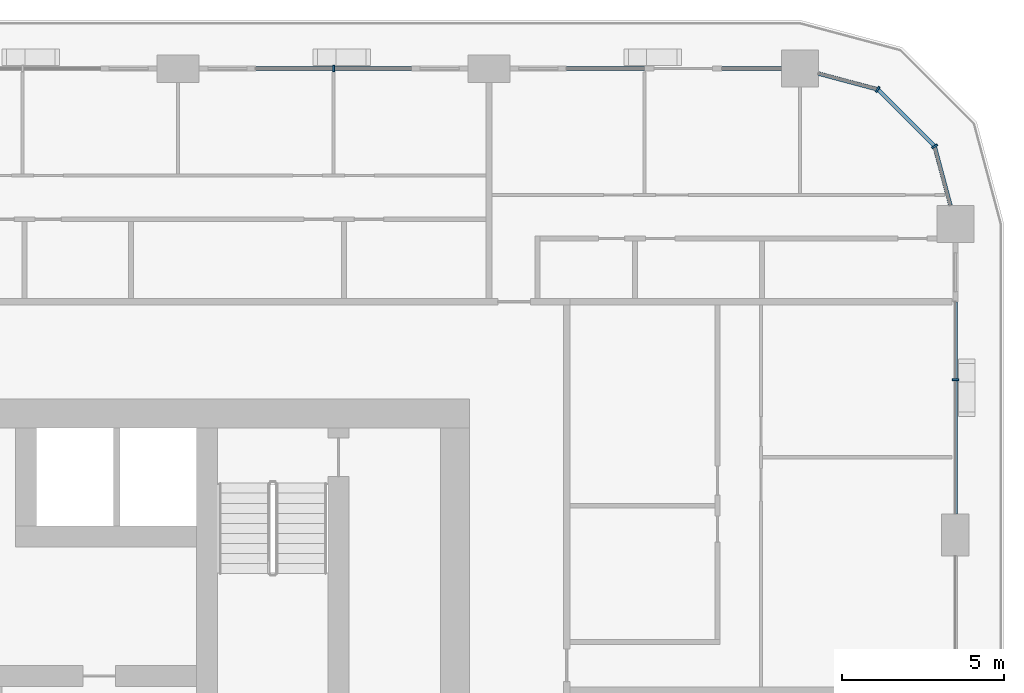
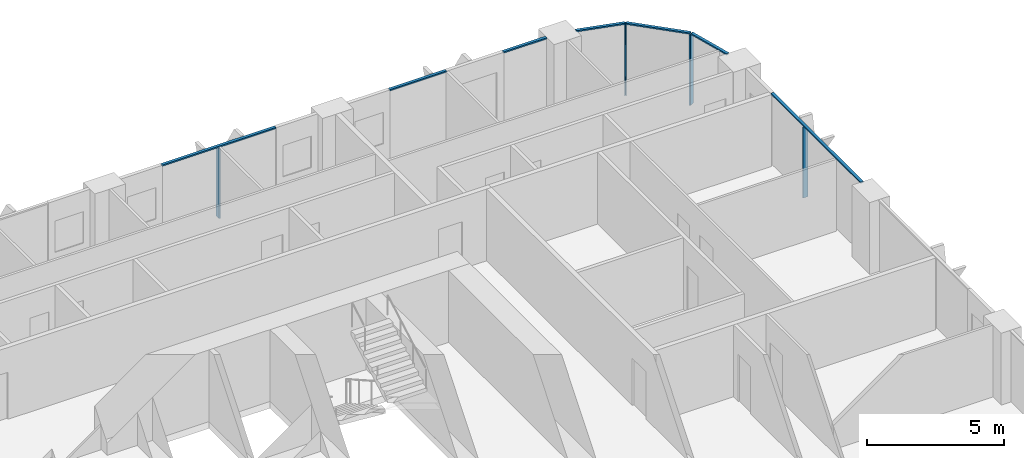
# One storey, part 6 of 22: 11 members, 4 elements without a shape of their own.
"""IFC4 building model written with IfcOpenShell, lengths in metres."""

from ifc_helpers import new_model, si_unit, direction, frame, origin, origin_2d, place, context, subcontext, project, spatial, rectangle, extrude, material, layer, layer_set, material_profile, profile_set, type_object, element, aggregate, save


model = new_model("IFC4")

# Units and contexts
model_context = context("Model", 3, precision=1e-05, world=origin(), true_north=direction((0.0, 1.0)))
body_context = subcontext(model_context, "Body", "Model", "MODEL_VIEW")
ifc_project = project(units=[si_unit("LENGTHUNIT", "METRE"), si_unit("AREAUNIT", "SQUARE_METRE"), si_unit("VOLUMEUNIT", "CUBIC_METRE"), si_unit("PLANEANGLEUNIT", "RADIAN"), si_unit("MASSUNIT", "GRAM", prefix="KILO")], contexts=[model_context])

# Site, building, storey
site_placement = place(None, origin())
site = spatial("IfcSite", under=ifc_project, at=site_placement, CompositionType="ELEMENT")
building_placement = place(site_placement, origin())
building = spatial("IfcBuilding", under=site, at=building_placement, Name="Madar Terraces", CompositionType="ELEMENT")
storey_placement = place(building_placement, frame((0.0, 0.0, 66.300048828125)))
storey = spatial("IfcBuildingStorey", under=building, at=storey_placement, Name="L16", CompositionType="ELEMENT", Elevation=66.300048828125)

# Curtain wall, member
ifc_material_1 = material(Name="Glass, ceramic frit dark grey, with black aluminium frame", Category="aluminium")
ifc_layer = layer(ifc_material_1, 0.199951171875)
ifc_layer_set = layer_set([ifc_layer], Name="Facade curtain wall, fritted glass")
curtain_wall_type = type_object("IfcCurtainWallType", Name="Facade curtain wall, fritted glass", PredefinedType="NOTDEFINED", material=ifc_layer_set)
curtain_wall_1_placement = place(storey_placement, origin())
curtain_wall_1 = element("IfcCurtainWall", 1, at=curtain_wall_1_placement, inside=storey, type_object=curtain_wall_type, Name="Outer skin curtain wall east bay 4", PredefinedType="NOTDEFINED")
ifc_material_2 = material(Name="Aluminium, black anodised", Category="aluminium")
ifc_material_profile_1 = material_profile(ifc_material_2, rectangle(XDim=0.199951171875, YDim=0.06005859375, at=origin_2d()), Name="Facade mullion 60x200")
ifc_profile_set_1 = profile_set([ifc_material_profile_1], Name="Aluminium, black anodised")
member_type_1 = type_object("IfcMemberType", Name="Facade mullion 60x200", PredefinedType="MULLION", material=ifc_profile_set_1)
member_1_placement = place(storey_placement, frame((62.39990234375, 38.39990234375, 0.0), z_axis=(0.0, 0.0, 1.0), x_axis=(-1.0, 0.0, 0.0)))
member_1 = element("IfcMember", 2, at=member_1_placement, type_object=member_type_1, Name="Mullion 1", PredefinedType="MULLION", context=body_context, shape_type="SweptSolid", body=[
    extrude(rectangle(XDim=0.199951171875, YDim=0.06005859375, at=origin_2d()), origin(), (0.0, 0.0, 1.0), 3.139892578125),
])

curtain_wall_2_placement = place(storey_placement, origin())
curtain_wall_2 = element("IfcCurtainWall", 3, at=curtain_wall_2_placement, inside=storey, type_object=curtain_wall_type, Name="Outer skin curtain wall north bay 2", PredefinedType="NOTDEFINED")
member_2_placement = place(storey_placement, frame((43.199951171875, 48.0, 0.0), z_axis=(0.0, 0.0, 1.0), x_axis=(0.0, -1.0, 0.0)))
member_2 = element("IfcMember", 4, at=member_2_placement, type_object=member_type_1, Name="Mullion 1", PredefinedType="MULLION", context=body_context, shape_type="SweptSolid", body=[
    extrude(rectangle(XDim=0.199951171875, YDim=0.06005859375, at=origin_2d()), origin(), (0.0, 0.0, 1.0), 3.139892578125),
])

# Curtain wall, members
curtain_wall_3_placement = place(storey_placement, origin())
curtain_wall_3 = element("IfcCurtainWall", 5, at=curtain_wall_3_placement, inside=storey, type_object=curtain_wall_type, Name="Outer skin curtain wall north-east corner", PredefinedType="NOTDEFINED")
member_3_placement = place(storey_placement, frame((61.7568359375, 45.60009765625, 0.0), z_axis=(0.0, 0.0, 1.0), x_axis=(-0.866025409797, -0.499999989586, 0.0)))
member_3 = element("IfcMember", 6, at=member_3_placement, type_object=member_type_1, Name="Mullion 1", PredefinedType="MULLION", context=body_context, shape_type="SweptSolid", body=[
    extrude(rectangle(XDim=0.199951171875, YDim=0.06005859375, at=origin_2d()), origin(), (0.0, 0.0, 1.0), 3.139892578125),
])
member_4_placement = place(storey_placement, frame((60.0, 47.35693359375, 0.0), z_axis=(0.0, 0.0, 1.0), x_axis=(-0.499999989586, -0.866025409797, 0.0)))
member_4 = element("IfcMember", 7, at=member_4_placement, type_object=member_type_1, Name="Mullion 2", PredefinedType="MULLION", context=body_context, shape_type="SweptSolid", body=[
    extrude(rectangle(XDim=0.199951171875, YDim=0.06005859375, at=origin_2d()), origin(), (0.0, 0.0, 1.0), 3.139892578125),
])

# Member
ifc_material_3 = material(Name="Aluminium, black anodised", Category="aluminium")
ifc_material_profile_2 = material_profile(ifc_material_3, rectangle(XDim=0.1201171875, YDim=0.06005859375, at=origin_2d()), Name="Facade transom 60x120")
ifc_profile_set_2 = profile_set([ifc_material_profile_2], Name="Aluminium, black anodised")
member_type_2 = type_object("IfcMemberType", Name="Facade transom 60x120", PredefinedType="USERDEFINED", material=ifc_profile_set_2)
member_5_placement = place(storey_placement, frame((62.39990234375, 34.25, 3.169921875), z_axis=(0.0, 1.0, 0.0), x_axis=(-1.0, 0.0, 0.0)))
member_5 = element("IfcMember", 8, at=member_5_placement, type_object=member_type_2, Name="Transom 1", ObjectType="TRANSOM", PredefinedType="USERDEFINED", context=body_context, shape_type="SweptSolid", body=[
    extrude(rectangle(XDim=0.1201171875, YDim=0.06005859375, at=origin_2d()), origin(), (0.0, 0.0, 1.0), 6.550048828125),
])

aggregate(curtain_wall_1, [member_1, member_5])

# Curtain wall, members
curtain_wall_4_placement = place(storey_placement, origin())
curtain_wall_4 = element("IfcCurtainWall", 9, at=curtain_wall_4_placement, inside=storey, type_object=curtain_wall_type, Name="Outer skin curtain wall north bay 1", PredefinedType="NOTDEFINED")
member_6_placement = place(storey_placement, frame((57.02490234375, 48.0, 3.169921875), z_axis=(-1.0, 0.0, 0.0), x_axis=(0.0, -1.0, 0.0)))
member_6 = element("IfcMember", 10, at=member_6_placement, type_object=member_type_2, Name="Transom 1", ObjectType="TRANSOM", PredefinedType="USERDEFINED", context=body_context, shape_type="SweptSolid", body=[
    extrude(rectangle(XDim=0.1201171875, YDim=0.06005859375, at=origin_2d()), origin(), (0.0, 0.0, 1.0), 1.824951171875),
])
member_7_placement = place(storey_placement, frame((52.800048828125, 48.0, 3.169921875), z_axis=(-1.0, 0.0, 0.0), x_axis=(0.0, -1.0, 0.0)))
member_7 = element("IfcMember", 11, at=member_7_placement, type_object=member_type_2, Name="Transom 2", ObjectType="TRANSOM", PredefinedType="USERDEFINED", context=body_context, shape_type="SweptSolid", body=[
    extrude(rectangle(XDim=0.1201171875, YDim=0.06005859375, at=origin_2d()), origin(), (0.0, 0.0, 1.0), 2.400146484375),
])
aggregate(curtain_wall_4, [member_6, member_7])

# Member
member_8_placement = place(storey_placement, frame((45.60009765625, 48.0, 3.169921875), z_axis=(-1.0, 0.0, 0.0), x_axis=(0.0, -1.0, 0.0)))
member_8 = element("IfcMember", 12, at=member_8_placement, type_object=member_type_2, Name="Transom 1", ObjectType="TRANSOM", PredefinedType="USERDEFINED", context=body_context, shape_type="SweptSolid", body=[
    extrude(rectangle(XDim=0.1201171875, YDim=0.06005859375, at=origin_2d()), origin(), (0.0, 0.0, 1.0), 4.800048828125),
])

aggregate(curtain_wall_2, [member_2, member_8])

member_9_placement = place(storey_placement, frame((62.245849609375, 43.77490234375, 3.169921875), z_axis=(-0.258782024434, 0.965935745187, 0.0), x_axis=(-0.965935745187, -0.258782024434, 0.0)))
member_9 = element("IfcMember", 13, at=member_9_placement, type_object=member_type_2, Name="Transom 1", ObjectType="TRANSOM", PredefinedType="USERDEFINED", context=body_context, shape_type="SweptSolid", body=[
    extrude(rectangle(XDim=0.1201171875, YDim=0.06005859375, at=origin_2d()), origin(), (0.0, 0.0, 1.0), 1.859375),
])

member_10_placement = place(storey_placement, frame((61.735595703125, 45.62109375, 3.169921875), z_axis=(-0.707056433593, 0.707157125196, 0.0), x_axis=(-0.707157125196, -0.707056433593, 0.0)))
member_10 = element("IfcMember", 14, at=member_10_placement, type_object=member_type_2, Name="Transom 2", ObjectType="TRANSOM", PredefinedType="USERDEFINED", context=body_context, shape_type="SweptSolid", body=[
    extrude(rectangle(XDim=0.1201171875, YDim=0.06005859375, at=origin_2d()), origin(), (0.0, 0.0, 1.0), 2.424560546875),
])

member_11_placement = place(storey_placement, frame((59.970947265625, 47.36474609375, 3.169921875), z_axis=(-0.965926950947, 0.258814847786, 0.0), x_axis=(-0.258814847786, -0.965926950947, 0.0)))
member_11 = element("IfcMember", 15, at=member_11_placement, type_object=member_type_2, Name="Transom 3", ObjectType="TRANSOM", PredefinedType="USERDEFINED", context=body_context, shape_type="SweptSolid", body=[
    extrude(rectangle(XDim=0.1201171875, YDim=0.06005859375, at=origin_2d()), origin(), (0.0, 0.0, 1.0), 1.859130859375),
])

aggregate(curtain_wall_3, [member_3, member_9, member_4, member_10, member_11])

save(model, "model.ifc")
